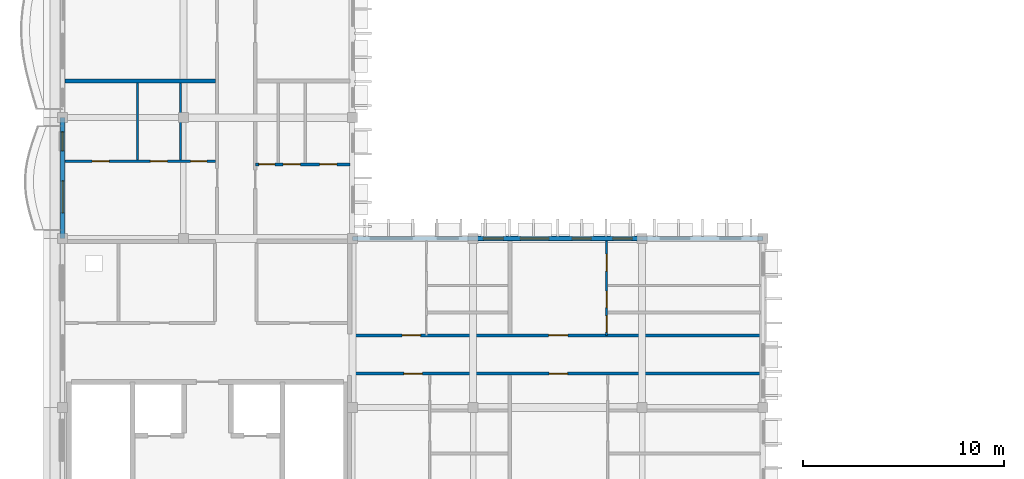
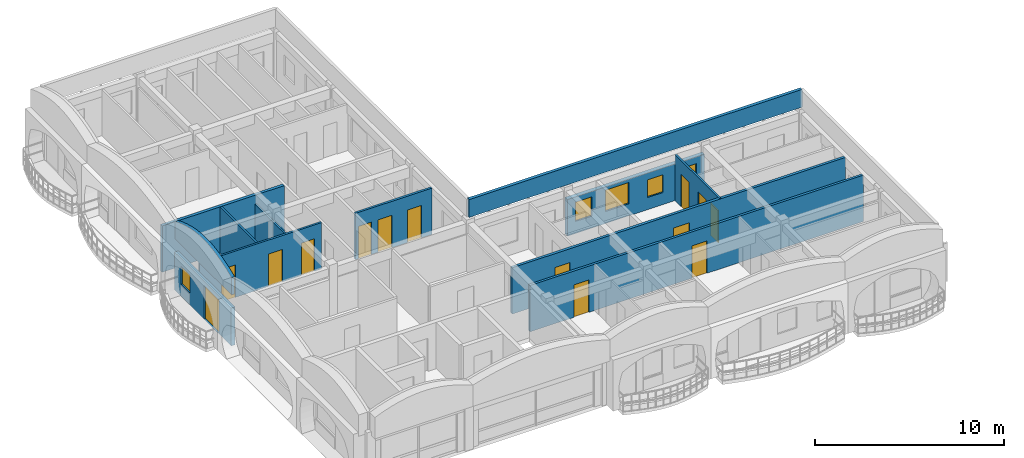
# One storey, part 12 of 45: 14 doors, 12 walls, 5 windows, 19 openings.
"""IFC4 building model written with IfcOpenShell, lengths in metres."""

from ifc_helpers import new_model, si_unit, direction, frame, frame_2d, origin, place, context, subcontext, project, spatial, polyline, rectangle, outline, extrude, material, layer, layer_set, type_object, element, fill, save


model = new_model("IFC4")

# Units and contexts
model_context = context("Model", 3, precision=1e-05, world=origin(), true_north=direction((0.0, 1.0)))
body_context = subcontext(model_context, "Body", "Model", "MODEL_VIEW")
ifc_project = project(units=[si_unit("LENGTHUNIT", "METRE"), si_unit("AREAUNIT", "SQUARE_METRE"), si_unit("VOLUMEUNIT", "CUBIC_METRE"), si_unit("PLANEANGLEUNIT", "RADIAN"), si_unit("MASSUNIT", "GRAM", prefix="KILO"), si_unit("THERMODYNAMICTEMPERATUREUNIT", "KELVIN")], contexts=[model_context])

# Site, building, storey
site_placement = place(None, origin())
site = spatial("IfcSite", under=ifc_project, at=site_placement, CompositionType="ELEMENT")
building_placement = place(site_placement, origin())
building = spatial("IfcBuilding", under=site, at=building_placement, Name="Thalorik Housing Commons", CompositionType="ELEMENT")
storey_placement = place(building_placement, frame((0.0, 0.0, 34.5)))
storey = spatial("IfcBuildingStorey", under=building, at=storey_placement, Name="L10", CompositionType="ELEMENT", Elevation=34.5)

# Wall, openings, doors
ifc_material_1 = material(Name="Masonry fire-rated corridor wall", Category="masonry")
ifc_layer_1 = layer(ifc_material_1, 0.14990234375, Name="Masonry fire-rated corridor wall", Category="masonry")
ifc_layer_set_1 = layer_set([ifc_layer_1], Name="Masonry fire-rated corridor wall")
wall_type_1 = type_object("IfcWallType", Name="ARC-WAL-CORR-150", PredefinedType="PARTITIONING", material=ifc_layer_set_1)
wall_1_placement = place(storey_placement, frame((22.659912109375, 16.080078125, 0.0), z_axis=(0.0, 0.0, 1.0), x_axis=(1.0, 0.0, 0.0)))
wall_1 = element("IfcWall", 1, at=wall_1_placement, inside=storey, type_object=wall_type_1, Name="L10 Block C S Corridor Wall 1", PredefinedType="PARTITIONING", context=body_context, shape_type="SweptSolid", body=[
    extrude(rectangle(XDim=20.41552734375, YDim=0.14990234375, at=frame_2d((10.207763671875, 0.0))), origin(), (0.0, 0.0, 1.0), 3.0),
])
opening_1_placement = place(wall_1_placement, frame((2.69140625, 0.0, 0.0)))
opening_1 = element("IfcOpeningElement", 2, at=opening_1_placement, cuts=wall_1, Name="Opening ID-1982", PredefinedType="OPENING", context=body_context, shape_type="SweptSolid", body=[
    extrude(rectangle(XDim=0.919921875, YDim=2.10009765625, at=frame_2d((0.4599609375, 1.050048828125))), frame((0.0, 0.0849609375, 0.0), z_axis=(0.0, -1.0, 0.0), x_axis=(1.0, 0.0, 0.0)), (0.0, 0.0, 1.0), 0.169921875),
])
opening_2_placement = place(wall_1_placement, frame((9.909912109375, 0.0, 0.0)))
opening_2 = element("IfcOpeningElement", 3, at=opening_2_placement, cuts=wall_1, Name="Opening ID-1983", PredefinedType="OPENING", context=body_context, shape_type="SweptSolid", body=[
    extrude(rectangle(XDim=0.919921875, YDim=2.10009765625, at=frame_2d((0.4599609375, 1.050048828125))), frame((0.0, 0.0849609375, 0.0), z_axis=(0.0, -1.0, 0.0), x_axis=(1.0, 0.0, 0.0)), (0.0, 0.0, 1.0), 0.169921875),
])
ifc_material_2 = material(Name="Solid core hardwood timber", Category="wood")
door_type_1 = type_object("IfcDoorType", Name="ARC-DR-FD30-920", OperationType="NOTDEFINED", PredefinedType="DOOR", material=ifc_material_2)
door_1_placement = place(opening_1_placement, origin())
door_1 = element("IfcDoor", 4, at=door_1_placement, inside=storey, type_object=door_type_1, Name="L10 Flat CS-1A Entrance Door", OperationType="SINGLE_SWING_LEFT", OverallHeight=2.10009765625, OverallWidth=0.919921875, PredefinedType="DOOR", context=body_context, shape_type="SweptSolid", body=[
    extrude(rectangle(XDim=0.919921875, YDim=2.10009765625, at=frame_2d((0.4599609375, 1.050048828125))), frame((0.0, 0.02490234375, 0.0), z_axis=(0.0, -1.0, 0.0), x_axis=(1.0, 0.0, 0.0)), (0.0, 0.0, 1.0), 0.050048828125),
])
fill(opening_1, door_1)
door_2_placement = place(opening_2_placement, origin())
door_2 = element("IfcDoor", 5, at=door_2_placement, inside=storey, type_object=door_type_1, Name="L10 Flat CS-2A Entrance Door", OperationType="SINGLE_SWING_RIGHT", OverallHeight=2.10009765625, OverallWidth=0.919921875, PredefinedType="DOOR", context=body_context, shape_type="SweptSolid", body=[
    extrude(rectangle(XDim=0.919921875, YDim=2.10009765625, at=frame_2d((0.4599609375, 1.050048828125))), frame((0.0, 0.02490234375, 0.0), z_axis=(0.0, -1.0, 0.0), x_axis=(1.0, 0.0, 0.0)), (0.0, 0.0, 1.0), 0.050048828125),
])
fill(opening_2, door_2)

ifc_layer_2 = layer(ifc_material_1, 0.1650390625, Name="Masonry fire-rated corridor wall", Category="masonry")
ifc_layer_set_2 = layer_set([ifc_layer_2], Name="Masonry fire-rated corridor wall")
wall_type_2 = type_object("IfcWallType", Name="ARC-WAL-CORR-165", PredefinedType="PARTITIONING", material=ifc_layer_set_2)
wall_2_placement = place(storey_placement, frame((22.659912109375, 17.97998046875, 0.0), z_axis=(0.0, 0.0, 1.0), x_axis=(1.0, 0.0, 0.0)))
wall_2 = element("IfcWall", 6, at=wall_2_placement, inside=storey, type_object=wall_type_2, Name="L10 Block C S Corridor Wall 2", PredefinedType="PARTITIONING", context=body_context, shape_type="SweptSolid", body=[
    extrude(rectangle(XDim=20.41552734375, YDim=0.1650390625, at=frame_2d((10.207763671875, 0.0))), origin(), (0.0, 0.0, 1.0), 3.0),
])
opening_3_placement = place(wall_2_placement, frame((2.61083984375, 0.0, 0.0)))
opening_3 = element("IfcOpeningElement", 7, at=opening_3_placement, cuts=wall_2, Name="Opening ID-1984", PredefinedType="OPENING", context=body_context, shape_type="SweptSolid", body=[
    extrude(rectangle(XDim=0.919921875, YDim=2.10009765625, at=frame_2d((0.4599609375, 1.050048828125))), frame((0.0, 0.092529296875, 0.0), z_axis=(0.0, -1.0, 0.0), x_axis=(1.0, 0.0, 0.0)), (0.0, 0.0, 1.0), 0.18505859375),
])
opening_4_placement = place(wall_2_placement, frame((9.884765625, 0.0, 0.0)))
opening_4 = element("IfcOpeningElement", 8, at=opening_4_placement, cuts=wall_2, Name="Opening ID-1985", PredefinedType="OPENING", context=body_context, shape_type="SweptSolid", body=[
    extrude(rectangle(XDim=0.9599609375, YDim=2.1201171875, at=frame_2d((0.47998046875, 1.06005859375))), frame((0.0, 0.092529296875, 0.0), z_axis=(0.0, -1.0, 0.0), x_axis=(1.0, 0.0, 0.0)), (0.0, 0.0, 1.0), 0.18505859375),
])
door_3_placement = place(opening_3_placement, origin())
door_3 = element("IfcDoor", 9, at=door_3_placement, inside=storey, type_object=door_type_1, Name="L10 Flat CS-1B Entrance Door", OperationType="SINGLE_SWING_LEFT", OverallHeight=2.10009765625, OverallWidth=0.919921875, PredefinedType="DOOR", context=body_context, shape_type="SweptSolid", body=[
    extrude(rectangle(XDim=0.919921875, YDim=2.10009765625, at=frame_2d((0.4599609375, 1.050048828125))), frame((0.0, 0.02490234375, 0.0), z_axis=(0.0, -1.0, 0.0), x_axis=(1.0, 0.0, 0.0)), (0.0, 0.0, 1.0), 0.050048828125),
])
fill(opening_3, door_3)
door_type_2 = type_object("IfcDoorType", Name="ARC-DR-FD30-960", OperationType="NOTDEFINED", PredefinedType="DOOR", material=ifc_material_2)
door_4_placement = place(opening_4_placement, origin())
door_4 = element("IfcDoor", 10, at=door_4_placement, inside=storey, type_object=door_type_2, Name="L10 Flat CS-2B Entrance Door", OperationType="SINGLE_SWING_RIGHT", OverallHeight=2.1201171875, OverallWidth=0.9599609375, PredefinedType="DOOR", context=body_context, shape_type="SweptSolid", body=[
    extrude(rectangle(XDim=0.9599609375, YDim=2.1201171875, at=frame_2d((0.47998046875, 1.06005859375))), frame((0.0, 0.02490234375, 0.0), z_axis=(0.0, -1.0, 0.0), x_axis=(1.0, 0.0, 0.0)), (0.0, 0.0, 1.0), 0.050048828125),
])
fill(opening_4, door_4)

# Wall, openings, door, window
ifc_material_3 = material(Name="White precast concrete C40/50", Category="concrete")
ifc_layer_3 = layer(ifc_material_3, 0.2451171875, Name="White precast concrete C40/50", Category="concrete")
ifc_layer_set_3 = layer_set([ifc_layer_3], Name="White precast concrete C40/50")
wall_type_3 = type_object("IfcWallType", Name="ARC-WAL-EXT-245", PredefinedType="STANDARD", material=ifc_layer_set_3)
wall_3_placement = place(storey_placement, frame((8.39990234375, 28.800048828125, 0.0), z_axis=(0.0, 0.0, 1.0), x_axis=(0.0, -1.0, 0.0)))
wall_3 = element("IfcWall", 11, at=wall_3_placement, inside=storey, type_object=wall_type_3, Name="L10 Exterior Wall WAL-EXT-L10-C-1092", PredefinedType="STANDARD", context=body_context, shape_type="SweptSolid", body=[
    extrude(rectangle(XDim=6.0, YDim=0.2451171875, at=frame_2d((3.0, 0.0))), origin(), (0.0, 0.0, 1.0), 2.445068359375),
])
opening_5_placement = place(wall_3_placement, frame((3.135009765625, 0.0, 0.0)))
opening_5 = element("IfcOpeningElement", 12, at=opening_5_placement, cuts=wall_3, Name="Opening ED-0366", PredefinedType="OPENING", context=body_context, shape_type="SweptSolid", body=[
    extrude(rectangle(XDim=1.60009765625, YDim=2.199951171875, at=frame_2d((0.800048828125, 1.10009765625))), frame((0.0, 0.132568359375, 0.0), z_axis=(0.0, -1.0, 0.0), x_axis=(1.0, 0.0, 0.0)), (0.0, 0.0, 1.0), 0.26513671875),
])
opening_6_placement = place(wall_3_placement, frame((0.699951171875, 0.0, 0.780029296875)))
opening_6 = element("IfcOpeningElement", 13, at=opening_6_placement, cuts=wall_3, Name="Opening W-43", PredefinedType="OPENING", context=body_context, shape_type="SweptSolid", body=[
    extrude(rectangle(XDim=0.949951171875, YDim=1.14990234375, at=frame_2d((0.47509765625, 0.574951171875))), frame((0.0, 0.132568359375, 0.0), z_axis=(0.0, -1.0, 0.0), x_axis=(1.0, 0.0, 0.0)), (0.0, 0.0, 1.0), 0.26513671875),
])
ifc_material_4 = material(Name="Anodised aluminium and laminated safety glass", Category="aluminium")
door_type_3 = type_object("IfcDoorType", Name="ARC-DR-BAL-1600", OperationType="NOTDEFINED", PredefinedType="DOOR", material=ifc_material_4)
door_5_placement = place(opening_5_placement, frame((1.60009765625, 0.0, 0.0), z_axis=(0.0, 0.0, 1.0), x_axis=(-1.0, 0.0, 0.0)))
door_5 = element("IfcDoor", 14, at=door_5_placement, inside=storey, type_object=door_type_3, Name="L10 Block C Balcony Glazed Door", OperationType="SLIDING_TO_LEFT", OverallHeight=2.199951171875, OverallWidth=1.60009765625, PredefinedType="DOOR", context=body_context, shape_type="SweptSolid", body=[
    extrude(rectangle(XDim=1.60009765625, YDim=2.199951171875, at=frame_2d((0.800048828125, 1.10009765625))), frame((0.0, 0.02490234375, 0.0), z_axis=(0.0, -1.0, 0.0), x_axis=(1.0, 0.0, 0.0)), (0.0, 0.0, 1.0), 0.050048828125),
])
fill(opening_5, door_5)
ifc_material_5 = material(Name="Anodised aluminium and solar-control low-E glass", Category="aluminium")
window_type_1 = type_object("IfcWindowType", Name="ARC-WIN-43", PartitioningType="SINGLE_PANEL", PredefinedType="WINDOW", material=ifc_material_5)
window_1_placement = place(opening_6_placement, origin())
window_1 = element("IfcWindow", 15, at=window_1_placement, inside=storey, type_object=window_type_1, Name="L10 Facade Window 2013", OverallHeight=1.14990234375, OverallWidth=0.949951171875, PartitioningType="SINGLE_PANEL", PredefinedType="WINDOW", context=body_context, shape_type="SweptSolid", body=[
    extrude(rectangle(XDim=0.949951171875, YDim=1.14990234375, at=frame_2d((0.47509765625, 0.574951171875))), frame((0.0, 0.030029296875, 0.0), z_axis=(0.0, -1.0, 0.0), x_axis=(1.0, 0.0, 0.0)), (0.0, 0.0, 1.0), 0.06005859375),
])
fill(opening_6, window_1)

# Wall, openings, windows
wall_4_placement = place(storey_placement, frame((37.199951171875, 22.800048828125, 0.0), z_axis=(0.0, 0.0, 1.0), x_axis=(-1.0, 0.0, 0.0)))
wall_4 = element("IfcWall", 16, at=wall_4_placement, inside=storey, type_object=wall_type_3, Name="L10 Exterior Wall WAL-EXT-L10-C-1103", PredefinedType="STANDARD", context=body_context, shape_type="SweptSolid", body=[
    extrude(rectangle(XDim=8.39990234375, YDim=0.2451171875, at=frame_2d((4.199951171875, 0.0))), origin(), (0.0, 0.0, 1.0), 2.375),
])
opening_7_placement = place(wall_4_placement, frame((0.505126953125, 0.0, 0.780029296875)))
opening_7 = element("IfcOpeningElement", 17, at=opening_7_placement, cuts=wall_4, Name="Opening W-43", PredefinedType="OPENING", context=body_context, shape_type="SweptSolid", body=[
    extrude(rectangle(XDim=0.949951171875, YDim=1.14990234375, at=frame_2d((0.47509765625, 0.574951171875))), frame((0.0, 0.132568359375, 0.0), z_axis=(0.0, -1.0, 0.0), x_axis=(1.0, 0.0, 0.0)), (0.0, 0.0, 1.0), 0.26513671875),
])
opening_8_placement = place(wall_4_placement, frame((2.53271484375, 0.0, 0.780029296875)))
opening_8 = element("IfcOpeningElement", 18, at=opening_8_placement, cuts=wall_4, Name="Opening W-43", PredefinedType="OPENING", context=body_context, shape_type="SweptSolid", body=[
    extrude(rectangle(XDim=0.949951171875, YDim=1.14990234375, at=frame_2d((0.47509765625, 0.574951171875))), frame((0.0, 0.132568359375, 0.0), z_axis=(0.0, -1.0, 0.0), x_axis=(1.0, 0.0, 0.0)), (0.0, 0.0, 1.0), 0.26513671875),
])
opening_9_placement = place(wall_4_placement, frame((4.632568359375, 0.0, 0.780029296875)))
opening_9 = element("IfcOpeningElement", 19, at=opening_9_placement, cuts=wall_4, Name="Opening W-50", PredefinedType="OPENING", context=body_context, shape_type="SweptSolid", body=[
    extrude(rectangle(XDim=1.419921875, YDim=1.3798828125, at=frame_2d((0.7099609375, 0.68994140625))), frame((0.0, 0.132568359375, 0.0), z_axis=(0.0, -1.0, 0.0), x_axis=(1.0, 0.0, 0.0)), (0.0, 0.0, 1.0), 0.26513671875),
])
opening_10_placement = place(wall_4_placement, frame((6.89501953125, 0.0, 0.780029296875)))
opening_10 = element("IfcOpeningElement", 20, at=opening_10_placement, cuts=wall_4, Name="Opening W-02", PredefinedType="OPENING", context=body_context, shape_type="SweptSolid", body=[
    extrude(rectangle(XDim=1.0, YDim=1.25, at=frame_2d((0.5, 0.625))), frame((0.0, 0.132568359375, 0.0), z_axis=(0.0, -1.0, 0.0), x_axis=(1.0, 0.0, 0.0)), (0.0, 0.0, 1.0), 0.26513671875),
])
window_type_2 = type_object("IfcWindowType", Name="ARC-WIN-02", PartitioningType="SINGLE_PANEL", PredefinedType="WINDOW", material=ifc_material_5)
window_2_placement = place(opening_10_placement, origin())
window_2 = element("IfcWindow", 21, at=window_2_placement, inside=storey, type_object=window_type_2, Name="L10 Facade Window 2034", OverallHeight=1.25, OverallWidth=1.0, PartitioningType="SINGLE_PANEL", PredefinedType="WINDOW", context=body_context, shape_type="SweptSolid", body=[
    extrude(rectangle(XDim=1.0, YDim=1.25, at=frame_2d((0.5, 0.625))), frame((0.0, 0.030029296875, 0.0), z_axis=(0.0, -1.0, 0.0), x_axis=(1.0, 0.0, 0.0)), (0.0, 0.0, 1.0), 0.06005859375),
])
fill(opening_10, window_2)
window_3_placement = place(opening_7_placement, origin())
window_3 = element("IfcWindow", 22, at=window_3_placement, inside=storey, type_object=window_type_1, Name="L10 Facade Window 2031", OverallHeight=1.14990234375, OverallWidth=0.949951171875, PartitioningType="SINGLE_PANEL", PredefinedType="WINDOW", context=body_context, shape_type="SweptSolid", body=[
    extrude(rectangle(XDim=0.949951171875, YDim=1.14990234375, at=frame_2d((0.47509765625, 0.574951171875))), frame((0.0, 0.030029296875, 0.0), z_axis=(0.0, -1.0, 0.0), x_axis=(1.0, 0.0, 0.0)), (0.0, 0.0, 1.0), 0.06005859375),
])
fill(opening_7, window_3)
window_4_placement = place(opening_8_placement, origin())
window_4 = element("IfcWindow", 23, at=window_4_placement, inside=storey, type_object=window_type_1, Name="L10 Facade Window 2032", OverallHeight=1.14990234375, OverallWidth=0.949951171875, PartitioningType="SINGLE_PANEL", PredefinedType="WINDOW", context=body_context, shape_type="SweptSolid", body=[
    extrude(rectangle(XDim=0.949951171875, YDim=1.14990234375, at=frame_2d((0.47509765625, 0.574951171875))), frame((0.0, 0.030029296875, 0.0), z_axis=(0.0, -1.0, 0.0), x_axis=(1.0, 0.0, 0.0)), (0.0, 0.0, 1.0), 0.06005859375),
])
fill(opening_8, window_4)
window_type_3 = type_object("IfcWindowType", Name="ARC-WIN-50", PartitioningType="SINGLE_PANEL", PredefinedType="WINDOW", material=ifc_material_5)
window_5_placement = place(opening_9_placement, origin())
window_5 = element("IfcWindow", 24, at=window_5_placement, inside=storey, type_object=window_type_3, Name="L10 Facade Window 2033", OverallHeight=1.3798828125, OverallWidth=1.419921875, PartitioningType="SINGLE_PANEL", PredefinedType="WINDOW", context=body_context, shape_type="SweptSolid", body=[
    extrude(rectangle(XDim=1.419921875, YDim=1.3798828125, at=frame_2d((0.7099609375, 0.68994140625))), frame((0.0, 0.030029296875, 0.0), z_axis=(0.0, -1.0, 0.0), x_axis=(1.0, 0.0, 0.0)), (0.0, 0.0, 1.0), 0.06005859375),
])
fill(opening_9, window_5)

# Walls
ifc_layer_4 = layer(ifc_material_3, 0.195068359375, Name="White precast concrete C40/50", Category="concrete")
ifc_layer_set_4 = layer_set([ifc_layer_4], Name="White precast concrete C40/50")
wall_type_4 = type_object("IfcWallType", Name="ARC-WAL-PAR-195", PredefinedType="PARAPET", material=ifc_layer_set_4)
wall_5_placement = place(storey_placement, frame((8.39990234375, 28.800048828125, 3.300048828125), z_axis=(0.0, 0.0, 1.0), x_axis=(0.0, -1.0, 0.0)))
element("IfcWall", 25, at=wall_5_placement, inside=storey, type_object=wall_type_4, Name="L10 Block C Scalloped Arched Roof Parapet 35", PredefinedType="PARAPET", context=body_context, shape_type="SweptSolid", body=[
    extrude(outline(polyline([(0.0, 0.0), (6.0, 0.0), (6.0, 1.119873046875), (5.5, 1.321533203125), (5.0, 1.484375), (4.5, 1.61767578125), (4.0, 1.71728515625), (3.5, 1.779052734375), (3.0, 1.800048828125), (2.5, 1.779052734375), (2.0, 1.71728515625), (1.5, 1.61767578125), (1.0, 1.484375), (0.5, 1.321533203125), (0.0, 1.119873046875), (0.0, 0.0)])), frame((0.0, 0.09765625, 0.0), z_axis=(0.0, -1.0, 0.0), x_axis=(1.0, 0.0, 0.0)), (0.0, 0.0, 1.0), 0.195068359375),
])
wall_6_placement = place(storey_placement, frame((43.199951171875, 22.800048828125, 3.300048828125), z_axis=(0.0, 0.0, 1.0), x_axis=(-1.0, 0.0, 0.0)))
element("IfcWall", 26, at=wall_6_placement, inside=storey, type_object=wall_type_4, Name="L10 Block C Roof Parapet 44", PredefinedType="PARAPET", context=body_context, shape_type="SweptSolid", body=[
    extrude(rectangle(XDim=20.39990234375, YDim=0.195068359375, at=frame_2d((10.199951171875, 0.0))), origin(), (0.0, 0.0, 1.0), 1.14990234375),
])
ifc_material_6 = material(Name="Gypsum light stud partition", Category="masonry")
ifc_layer_5 = layer(ifc_material_6, 0.10009765625, Name="Gypsum light stud partition", Category="masonry")
ifc_layer_set_5 = layer_set([ifc_layer_5], Name="Gypsum light stud partition")
wall_type_5 = type_object("IfcWallType", Name="ARC-WAL-PART-100", PredefinedType="PARTITIONING", material=ifc_layer_set_5)
wall_7_placement = place(storey_placement, frame((14.251220703125, 26.70458984375, 0.0), z_axis=(0.0, 0.0, 1.0), x_axis=(0.0, 1.0, 0.0)))
element("IfcWall", 27, at=wall_7_placement, inside=storey, type_object=wall_type_5, Name="L10 Unit 1 Wet Wall", PredefinedType="PARTITIONING", context=body_context, shape_type="SweptSolid", body=[
    extrude(rectangle(XDim=3.82080078125, YDim=0.10009765625, at=frame_2d((1.910400390625, 0.0))), origin(), (0.0, 0.0, 1.0), 2.425048828125),
])
ifc_material_7 = material(Name="Gypsum moisture-resistant partition", Category="masonry")
ifc_layer_6 = layer(ifc_material_7, 0.114990234375, Name="Gypsum moisture-resistant partition", Category="masonry")
ifc_layer_set_6 = layer_set([ifc_layer_6], Name="Gypsum moisture-resistant partition")
wall_type_6 = type_object("IfcWallType", Name="ARC-WAL-PART-115", PredefinedType="PARTITIONING", material=ifc_layer_set_6)
wall_8_placement = place(storey_placement, frame((12.11767578125, 26.70458984375, 0.0), z_axis=(0.0, 0.0, 1.0), x_axis=(0.0, 1.0, 0.0)))
element("IfcWall", 28, at=wall_8_placement, inside=storey, type_object=wall_type_6, Name="L10 Unit 1 Bedroom Partition", PredefinedType="PARTITIONING", context=body_context, shape_type="SweptSolid", body=[
    extrude(rectangle(XDim=3.82080078125, YDim=0.114990234375, at=frame_2d((1.910400390625, 0.0))), origin(), (0.0, 0.0, 1.0), 3.0),
])

# Wall, openings, doors
wall_9_placement = place(storey_placement, frame((35.4296875, 17.97998046875, 0.0), z_axis=(0.0, 0.0, 1.0), x_axis=(0.0, 1.0, 0.0)))
wall_9 = element("IfcWall", 29, at=wall_9_placement, inside=storey, type_object=wall_type_6, Name="L10 Unit 2B Spine Partition", PredefinedType="PARTITIONING", context=body_context, shape_type="SweptSolid", body=[
    extrude(rectangle(XDim=4.695556640625, YDim=0.114990234375, at=frame_2d((2.34765625, 0.0))), origin(), (0.0, 0.0, 1.0), 3.0),
])
opening_11_placement = place(wall_9_placement, frame((0.171142578125, 0.0, 0.0)))
opening_11 = element("IfcOpeningElement", 30, at=opening_11_placement, cuts=wall_9, Name="Opening ID-1979", PredefinedType="OPENING", context=body_context, shape_type="SweptSolid", body=[
    extrude(rectangle(XDim=0.800048828125, YDim=2.10009765625, at=frame_2d((0.39990234375, 1.050048828125))), frame((0.0, 0.0673828125, 0.0), z_axis=(0.0, -1.0, 0.0), x_axis=(1.0, 0.0, 0.0)), (0.0, 0.0, 1.0), 0.135009765625),
])
opening_12_placement = place(wall_9_placement, frame((1.3837890625, 0.0, 0.0)))
opening_12 = element("IfcOpeningElement", 31, at=opening_12_placement, cuts=wall_9, Name="Opening ID-1980", PredefinedType="OPENING", context=body_context, shape_type="SweptSolid", body=[
    extrude(rectangle(XDim=0.820068359375, YDim=2.080078125, at=frame_2d((0.41015625, 1.0400390625))), frame((0.0, 0.0673828125, 0.0), z_axis=(0.0, -1.0, 0.0), x_axis=(1.0, 0.0, 0.0)), (0.0, 0.0, 1.0), 0.135009765625),
])
opening_13_placement = place(wall_9_placement, frame((3.192626953125, 0.0, 0.0)))
opening_13 = element("IfcOpeningElement", 32, at=opening_13_placement, cuts=wall_9, Name="Opening ID-1981", PredefinedType="OPENING", context=body_context, shape_type="SweptSolid", body=[
    extrude(rectangle(XDim=0.85009765625, YDim=2.10009765625, at=frame_2d((0.425048828125, 1.050048828125))), frame((0.0, 0.0673828125, 0.0), z_axis=(0.0, -1.0, 0.0), x_axis=(1.0, 0.0, 0.0)), (0.0, 0.0, 1.0), 0.135009765625),
])
ifc_material_8 = material(Name="Moisture-resistant timber", Category="wood")
door_type_4 = type_object("IfcDoorType", Name="ARC-DR-INT-800", OperationType="NOTDEFINED", PredefinedType="DOOR", material=ifc_material_8)
door_6_placement = place(opening_11_placement, origin())
door_6 = element("IfcDoor", 33, at=door_6_placement, inside=storey, type_object=door_type_4, Name="L10 Accessible Bathroom Door", OperationType="SINGLE_SWING_RIGHT", OverallHeight=2.10009765625, OverallWidth=0.800048828125, PredefinedType="DOOR", context=body_context, shape_type="SweptSolid", body=[
    extrude(rectangle(XDim=0.800048828125, YDim=2.10009765625, at=frame_2d((0.39990234375, 1.050048828125))), frame((0.0, 0.02490234375, 0.0), z_axis=(0.0, -1.0, 0.0), x_axis=(1.0, 0.0, 0.0)), (0.0, 0.0, 1.0), 0.050048828125),
])
fill(opening_11, door_6)
ifc_material_9 = material(Name="Engineered oak timber", Category="wood")
door_type_5 = type_object("IfcDoorType", Name="ARC-DR-INT-820", OperationType="NOTDEFINED", PredefinedType="DOOR", material=ifc_material_9)
door_7_placement = place(opening_12_placement, origin())
door_7 = element("IfcDoor", 34, at=door_7_placement, inside=storey, type_object=door_type_5, Name="L10 Eat-In Kitchen Door", OperationType="SINGLE_SWING_LEFT", OverallHeight=2.080078125, OverallWidth=0.820068359375, PredefinedType="DOOR", context=body_context, shape_type="SweptSolid", body=[
    extrude(rectangle(XDim=0.820068359375, YDim=2.080078125, at=frame_2d((0.41015625, 1.0400390625))), frame((0.0, 0.02490234375, 0.0), z_axis=(0.0, -1.0, 0.0), x_axis=(1.0, 0.0, 0.0)), (0.0, 0.0, 1.0), 0.050048828125),
])
fill(opening_12, door_7)
door_type_6 = type_object("IfcDoorType", Name="ARC-DR-INT-850", OperationType="NOTDEFINED", PredefinedType="DOOR", material=ifc_material_9)
door_8_placement = place(opening_13_placement, origin())
door_8 = element("IfcDoor", 35, at=door_8_placement, inside=storey, type_object=door_type_6, Name="L10 Master Bedroom Door", OperationType="SINGLE_SWING_RIGHT", OverallHeight=2.10009765625, OverallWidth=0.85009765625, PredefinedType="DOOR", context=body_context, shape_type="SweptSolid", body=[
    extrude(rectangle(XDim=0.85009765625, YDim=2.10009765625, at=frame_2d((0.425048828125, 1.050048828125))), frame((0.0, 0.02490234375, 0.0), z_axis=(0.0, -1.0, 0.0), x_axis=(1.0, 0.0, 0.0)), (0.0, 0.0, 1.0), 0.050048828125),
])
fill(opening_13, door_8)

ifc_material_10 = material(Name="Gypsum acoustic stud partition", Category="masonry")
ifc_layer_7 = layer(ifc_material_10, 0.125, Name="Gypsum acoustic stud partition", Category="masonry")
ifc_layer_set_7 = layer_set([ifc_layer_7], Name="Gypsum acoustic stud partition")
wall_type_7 = type_object("IfcWallType", Name="ARC-WAL-PART-125", PredefinedType="PARTITIONING", material=ifc_layer_set_7)
wall_10_placement = place(storey_placement, frame((8.5244140625, 26.639892578125, 0.0), z_axis=(0.0, 0.0, 1.0), x_axis=(1.0, 0.0, 0.0)))
wall_10 = element("IfcWall", 36, at=wall_10_placement, inside=storey, type_object=wall_type_7, Name="L10 Unit 1 Spine Partition", PredefinedType="PARTITIONING", context=body_context, shape_type="SweptSolid", body=[
    extrude(rectangle(XDim=7.478515625, YDim=0.125, at=frame_2d((3.7392578125, 0.0))), origin(), (0.0, 0.0, 1.0), 3.0),
])
opening_14_placement = place(wall_10_placement, frame((1.33935546875, 0.0, 0.0)))
opening_14 = element("IfcOpeningElement", 37, at=opening_14_placement, cuts=wall_10, Name="Opening ID-1954", PredefinedType="OPENING", context=body_context, shape_type="SweptSolid", body=[
    extrude(rectangle(XDim=0.85009765625, YDim=2.10009765625, at=frame_2d((0.425048828125, 1.050048828125))), frame((0.0, 0.072509765625, 0.0), z_axis=(0.0, -1.0, 0.0), x_axis=(1.0, 0.0, 0.0)), (0.0, 0.0, 1.0), 0.14501953125),
])
opening_15_placement = place(wall_10_placement, frame((4.23486328125, 0.0, 0.0)))
opening_15 = element("IfcOpeningElement", 38, at=opening_15_placement, cuts=wall_10, Name="Opening ID-1955", PredefinedType="OPENING", context=body_context, shape_type="SweptSolid", body=[
    extrude(rectangle(XDim=0.85009765625, YDim=2.10009765625, at=frame_2d((0.425048828125, 1.050048828125))), frame((0.0, 0.072509765625, 0.0), z_axis=(0.0, -1.0, 0.0), x_axis=(1.0, 0.0, 0.0)), (0.0, 0.0, 1.0), 0.14501953125),
])
opening_16_placement = place(wall_10_placement, frame((6.2412109375, 0.0, 0.0)))
opening_16 = element("IfcOpeningElement", 39, at=opening_16_placement, cuts=wall_10, Name="Opening ID-1956", PredefinedType="OPENING", context=body_context, shape_type="SweptSolid", body=[
    extrude(rectangle(XDim=0.800048828125, YDim=2.10009765625, at=frame_2d((0.39990234375, 1.050048828125))), frame((0.0, 0.072509765625, 0.0), z_axis=(0.0, -1.0, 0.0), x_axis=(1.0, 0.0, 0.0)), (0.0, 0.0, 1.0), 0.14501953125),
])
door_9_placement = place(opening_16_placement, origin())
door_9 = element("IfcDoor", 40, at=door_9_placement, inside=storey, type_object=door_type_4, Name="L10 Accessible Bathroom Door", OperationType="SINGLE_SWING_LEFT", OverallHeight=2.10009765625, OverallWidth=0.800048828125, PredefinedType="DOOR", context=body_context, shape_type="SweptSolid", body=[
    extrude(rectangle(XDim=0.800048828125, YDim=2.10009765625, at=frame_2d((0.39990234375, 1.050048828125))), frame((0.0, 0.02490234375, 0.0), z_axis=(0.0, -1.0, 0.0), x_axis=(1.0, 0.0, 0.0)), (0.0, 0.0, 1.0), 0.050048828125),
])
fill(opening_16, door_9)
door_10_placement = place(opening_14_placement, origin())
door_10 = element("IfcDoor", 41, at=door_10_placement, inside=storey, type_object=door_type_6, Name="L10 Master Bedroom Door", OperationType="SINGLE_SWING_LEFT", OverallHeight=2.10009765625, OverallWidth=0.85009765625, PredefinedType="DOOR", context=body_context, shape_type="SweptSolid", body=[
    extrude(rectangle(XDim=0.85009765625, YDim=2.10009765625, at=frame_2d((0.425048828125, 1.050048828125))), frame((0.0, 0.02490234375, 0.0), z_axis=(0.0, -1.0, 0.0), x_axis=(1.0, 0.0, 0.0)), (0.0, 0.0, 1.0), 0.050048828125),
])
fill(opening_14, door_10)
door_11_placement = place(opening_15_placement, origin())
door_11 = element("IfcDoor", 42, at=door_11_placement, inside=storey, type_object=door_type_6, Name="L10 Eat-In Kitchen Door", OperationType="SINGLE_SWING_RIGHT", OverallHeight=2.10009765625, OverallWidth=0.85009765625, PredefinedType="DOOR", context=body_context, shape_type="SweptSolid", body=[
    extrude(rectangle(XDim=0.85009765625, YDim=2.10009765625, at=frame_2d((0.425048828125, 1.050048828125))), frame((0.0, 0.02490234375, 0.0), z_axis=(0.0, -1.0, 0.0), x_axis=(1.0, 0.0, 0.0)), (0.0, 0.0, 1.0), 0.050048828125),
])
fill(opening_15, door_11)

ifc_material_11 = material(Name="Ceramic masonry partition wall", Category="masonry")
ifc_layer_8 = layer(ifc_material_11, 0.139892578125, Name="Ceramic masonry partition wall", Category="masonry")
ifc_layer_set_8 = layer_set([ifc_layer_8], Name="Ceramic masonry partition wall")
wall_type_8 = type_object("IfcWallType", Name="ARC-WAL-PART-140", PredefinedType="PARTITIONING", material=ifc_layer_set_8)
wall_11_placement = place(storey_placement, frame((17.97998046875, 26.480712890625, 0.0), z_axis=(0.0, 0.0, 1.0), x_axis=(1.0, 0.0, 0.0)))
wall_11 = element("IfcWall", 43, at=wall_11_placement, inside=storey, type_object=wall_type_8, Name="L10 Unit 1B Spine Partition", PredefinedType="PARTITIONING", context=body_context, shape_type="SweptSolid", body=[
    extrude(rectangle(XDim=4.695556640625, YDim=0.139892578125, at=frame_2d((2.34765625, 0.0))), origin(), (0.0, 0.0, 1.0), 3.0),
])
opening_17_placement = place(wall_11_placement, frame((0.171142578125, 0.0, 0.0)))
opening_17 = element("IfcOpeningElement", 44, at=opening_17_placement, cuts=wall_11, Name="Opening ID-1957", PredefinedType="OPENING", context=body_context, shape_type="SweptSolid", body=[
    extrude(rectangle(XDim=0.800048828125, YDim=2.10009765625, at=frame_2d((0.39990234375, 1.050048828125))), frame((0.0, 0.080078125, 0.0), z_axis=(0.0, -1.0, 0.0), x_axis=(1.0, 0.0, 0.0)), (0.0, 0.0, 1.0), 0.159912109375),
])
opening_18_placement = place(wall_11_placement, frame((1.3837890625, 0.0, 0.0)))
opening_18 = element("IfcOpeningElement", 45, at=opening_18_placement, cuts=wall_11, Name="Opening ID-1958", PredefinedType="OPENING", context=body_context, shape_type="SweptSolid", body=[
    extrude(rectangle(XDim=0.85009765625, YDim=2.10009765625, at=frame_2d((0.425048828125, 1.050048828125))), frame((0.0, 0.080078125, 0.0), z_axis=(0.0, -1.0, 0.0), x_axis=(1.0, 0.0, 0.0)), (0.0, 0.0, 1.0), 0.159912109375),
])
opening_19_placement = place(wall_11_placement, frame((3.192626953125, 0.0, 0.0)))
opening_19 = element("IfcOpeningElement", 46, at=opening_19_placement, cuts=wall_11, Name="Opening ID-1959", PredefinedType="OPENING", context=body_context, shape_type="SweptSolid", body=[
    extrude(rectangle(XDim=0.85009765625, YDim=2.10009765625, at=frame_2d((0.425048828125, 1.050048828125))), frame((0.0, 0.080078125, 0.0), z_axis=(0.0, -1.0, 0.0), x_axis=(1.0, 0.0, 0.0)), (0.0, 0.0, 1.0), 0.159912109375),
])
door_12_placement = place(opening_17_placement, origin())
door_12 = element("IfcDoor", 47, at=door_12_placement, inside=storey, type_object=door_type_4, Name="L10 Accessible Bathroom Door", OperationType="SINGLE_SWING_RIGHT", OverallHeight=2.10009765625, OverallWidth=0.800048828125, PredefinedType="DOOR", context=body_context, shape_type="SweptSolid", body=[
    extrude(rectangle(XDim=0.800048828125, YDim=2.10009765625, at=frame_2d((0.39990234375, 1.050048828125))), frame((0.0, 0.02490234375, 0.0), z_axis=(0.0, -1.0, 0.0), x_axis=(1.0, 0.0, 0.0)), (0.0, 0.0, 1.0), 0.050048828125),
])
fill(opening_17, door_12)
door_13_placement = place(opening_18_placement, origin())
door_13 = element("IfcDoor", 48, at=door_13_placement, inside=storey, type_object=door_type_6, Name="L10 Eat-In Kitchen Door", OperationType="SINGLE_SWING_LEFT", OverallHeight=2.10009765625, OverallWidth=0.85009765625, PredefinedType="DOOR", context=body_context, shape_type="SweptSolid", body=[
    extrude(rectangle(XDim=0.85009765625, YDim=2.10009765625, at=frame_2d((0.425048828125, 1.050048828125))), frame((0.0, 0.02490234375, 0.0), z_axis=(0.0, -1.0, 0.0), x_axis=(1.0, 0.0, 0.0)), (0.0, 0.0, 1.0), 0.050048828125),
])
fill(opening_18, door_13)
door_14_placement = place(opening_19_placement, origin())
door_14 = element("IfcDoor", 49, at=door_14_placement, inside=storey, type_object=door_type_6, Name="L10 Double Bedroom Door", OperationType="SINGLE_SWING_RIGHT", OverallHeight=2.10009765625, OverallWidth=0.85009765625, PredefinedType="DOOR", context=body_context, shape_type="SweptSolid", body=[
    extrude(rectangle(XDim=0.85009765625, YDim=2.10009765625, at=frame_2d((0.425048828125, 1.050048828125))), frame((0.0, 0.02490234375, 0.0), z_axis=(0.0, -1.0, 0.0), x_axis=(1.0, 0.0, 0.0)), (0.0, 0.0, 1.0), 0.050048828125),
])
fill(opening_19, door_14)

# Wall
ifc_material_12 = material(Name="Masonry acoustic blockwork wall", Category="masonry")
ifc_layer_9 = layer(ifc_material_12, 0.18505859375, Name="Masonry acoustic blockwork wall", Category="masonry")
ifc_layer_set_9 = layer_set([ifc_layer_9], Name="Masonry acoustic blockwork wall")
wall_type_9 = type_object("IfcWallType", Name="ARC-WAL-PARTY-185", PredefinedType="PARTITIONING", material=ifc_layer_set_9)
wall_12_placement = place(storey_placement, frame((8.5244140625, 30.6201171875, 0.0), z_axis=(0.0, 0.0, 1.0), x_axis=(1.0, 0.0, 0.0)))
element("IfcWall", 50, at=wall_12_placement, inside=storey, type_object=wall_type_9, Name="L10 Inter-Tenancy Wall 1A", PredefinedType="PARTITIONING", context=body_context, shape_type="SweptSolid", body=[
    extrude(rectangle(XDim=7.478515625, YDim=0.18505859375, at=frame_2d((3.7392578125, 0.0))), origin(), (0.0, 0.0, 1.0), 3.0),
])

save(model, "model.ifc")
